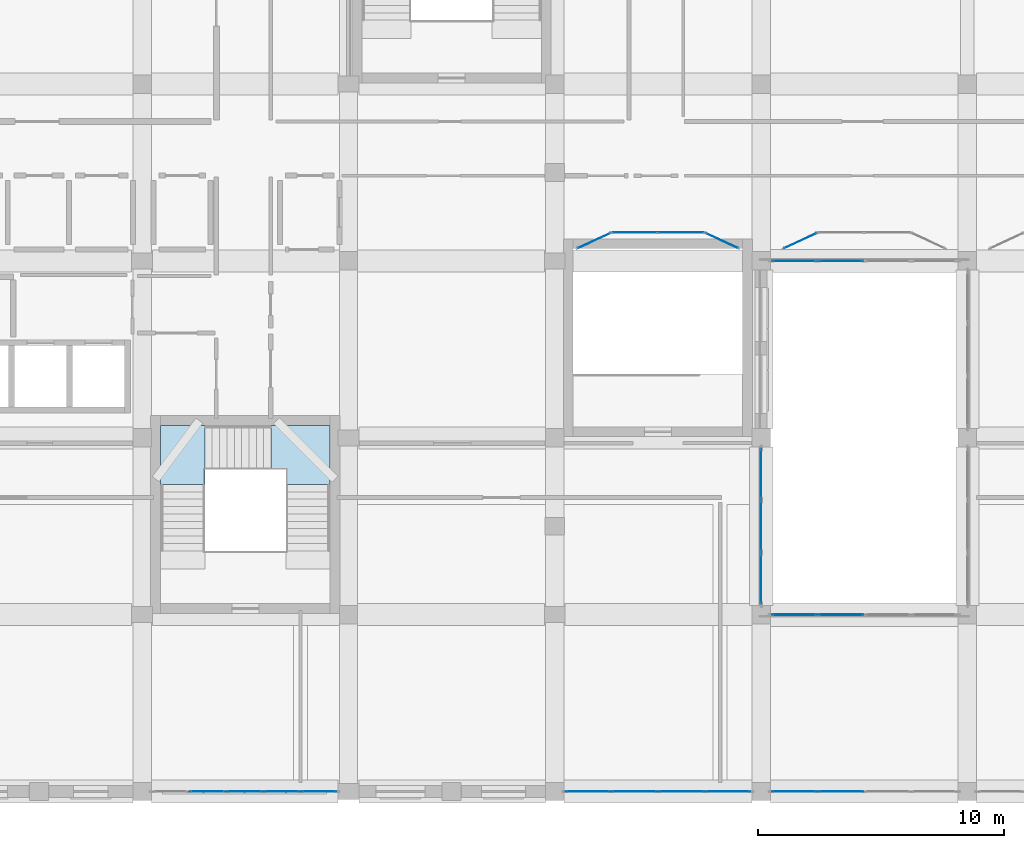
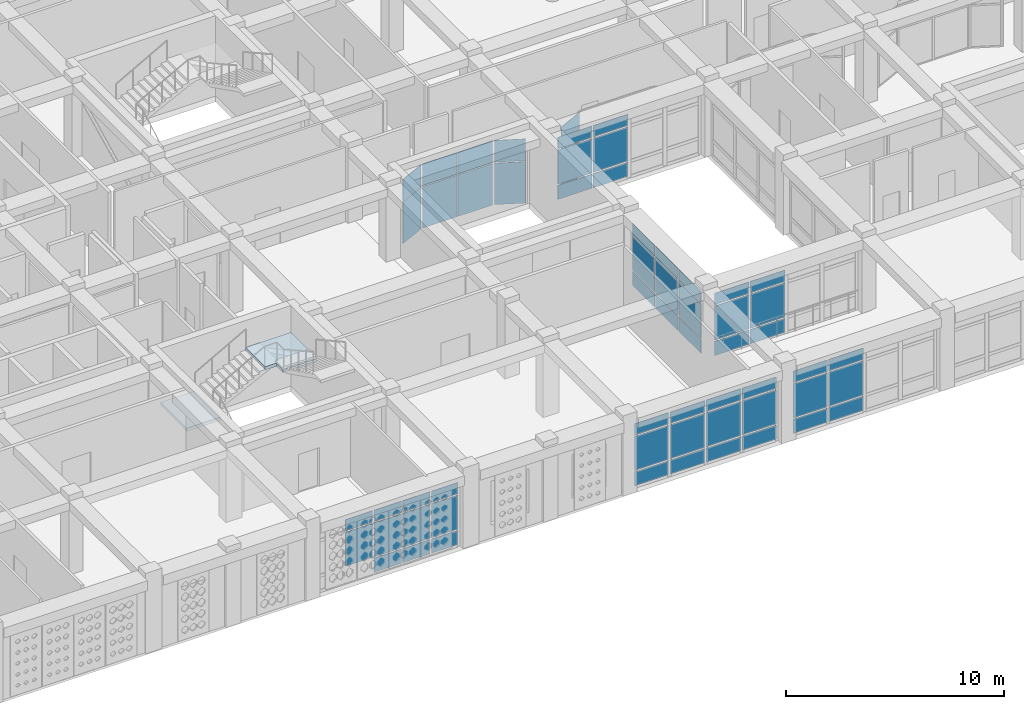
# One storey, part 63 of 121: 60 plates, 2 slabs, 11 elements without a shape of their own.
"""IFC4 building model written with IfcOpenShell, lengths in metres."""

from ifc_helpers import new_model, si_unit, derived_unit, direction, frame, origin, origin_2d, place, context, subcontext, project, spatial, polyline, rectangle, outline, extrude, material, layer, layer_set, type_object, element, aggregate, save


model = new_model("IFC4")

# Units and contexts
model_context = context("Model", 3, precision=1e-05, world=origin(), true_north=direction((0.0, 1.0)))
body_context = subcontext(model_context, "Body", "Model", "MODEL_VIEW")
ifc_project = project(units=[si_unit("LENGTHUNIT", "METRE"), si_unit("AREAUNIT", "SQUARE_METRE"), si_unit("VOLUMEUNIT", "CUBIC_METRE"), si_unit("PLANEANGLEUNIT", "RADIAN"), si_unit("MASSUNIT", "GRAM", prefix="KILO"), derived_unit("THERMALTRANSMITTANCEUNIT", [(si_unit("POWERUNIT", "WATT"), 1), (si_unit("LENGTHUNIT", "METRE"), -2), (si_unit("THERMODYNAMICTEMPERATUREUNIT", "KELVIN"), -1)])], contexts=[model_context])

# Site, building, storey
site_placement = place(None, origin())
site = spatial("IfcSite", under=ifc_project, at=site_placement, CompositionType="ELEMENT")
building_placement = place(site_placement, origin())
building = spatial("IfcBuilding", under=site, at=building_placement, Name="Veybourne Emporium", CompositionType="ELEMENT")
storey_placement = place(building_placement, frame((0.0, 0.0, 5.39990234375)))
storey = spatial("IfcBuildingStorey", under=building, at=storey_placement, Name="L01", CompositionType="ELEMENT", Elevation=5.39990234375)

# Curtain wall, plates
ifc_material_1 = material(Name="Patinated Architectural Bronze", Category="bronze")
curtain_wall_type_1 = type_object("IfcCurtainWallType", Name="CWSystem_CWS-03", PredefinedType="NOTDEFINED", material=ifc_material_1)
curtain_wall_1_placement = place(storey_placement, origin())
curtain_wall_1 = element("IfcCurtainWall", 1, at=curtain_wall_1_placement, inside=storey, type_object=curtain_wall_type_1, Name="L01 bronze glazed curtain wall CWS-03 (021)", PredefinedType="NOTDEFINED")
ifc_material_2 = material(Name="Low-E Triple Glazing", Category="glass")
ifc_layer_1 = layer(ifc_material_2, 0.028076171875)
ifc_layer_set_1 = layer_set([ifc_layer_1], Name="Low-E Triple Glazing")
plate_type_1 = type_object("IfcPlateType", Name="CWPanel_CW-P1", PredefinedType="CURTAIN_PANEL", material=ifc_layer_set_1)
plate_1_placement = place(storey_placement, frame((40.79541015625, 0.0, 0.078125), z_axis=(0.0, 0.0, 1.0), x_axis=(-1.0, 0.0, 0.0)))
plate_1 = element("IfcPlate", 2, at=plate_1_placement, type_object=plate_type_1, Name="CWS-03 panel 1.1", PredefinedType="CURTAIN_PANEL", context=body_context, shape_type="SweptSolid", body=[
    extrude(rectangle(XDim=1.403076171875, YDim=0.028076171875, at=origin_2d()), origin(), (0.0, 0.0, 1.0), 0.782958984375),
])
plate_2_placement = place(storey_placement, frame((40.79541015625, 0.0, 0.93896484375), z_axis=(0.0, 0.0, 1.0), x_axis=(-1.0, 0.0, 0.0)))
plate_2 = element("IfcPlate", 3, at=plate_2_placement, type_object=plate_type_1, Name="CWS-03 panel 1.2", PredefinedType="CURTAIN_PANEL", context=body_context, shape_type="SweptSolid", body=[
    extrude(rectangle(XDim=1.403076171875, YDim=0.028076171875, at=origin_2d()), origin(), (0.0, 0.0, 1.0), 1.902099609375),
])
plate_3_placement = place(storey_placement, frame((40.79541015625, 0.0, 2.9189453125), z_axis=(0.0, 0.0, 1.0), x_axis=(-1.0, 0.0, 0.0)))
plate_3 = element("IfcPlate", 4, at=plate_3_placement, type_object=plate_type_1, Name="CWS-03 panel 1.3", PredefinedType="CURTAIN_PANEL", context=body_context, shape_type="SweptSolid", body=[
    extrude(rectangle(XDim=1.403076171875, YDim=0.028076171875, at=origin_2d()), origin(), (0.0, 0.0, 1.0), 0.633056640625),
])
plate_4_placement = place(storey_placement, frame((39.294921875, 0.0, 0.078125), z_axis=(0.0, 0.0, 1.0), x_axis=(-1.0, 0.0, 0.0)))
plate_4 = element("IfcPlate", 5, at=plate_4_placement, type_object=plate_type_1, Name="CWS-03 panel 2.1", PredefinedType="CURTAIN_PANEL", context=body_context, shape_type="SweptSolid", body=[
    extrude(rectangle(XDim=1.44189453125, YDim=0.028076171875, at=origin_2d()), origin(), (0.0, 0.0, 1.0), 0.782958984375),
])
plate_5_placement = place(storey_placement, frame((39.294921875, 0.0, 0.93896484375), z_axis=(0.0, 0.0, 1.0), x_axis=(-1.0, 0.0, 0.0)))
plate_5 = element("IfcPlate", 6, at=plate_5_placement, type_object=plate_type_1, Name="CWS-03 panel 2.2", PredefinedType="CURTAIN_PANEL", context=body_context, shape_type="SweptSolid", body=[
    extrude(rectangle(XDim=1.44189453125, YDim=0.028076171875, at=origin_2d()), origin(), (0.0, 0.0, 1.0), 1.902099609375),
])
plate_6_placement = place(storey_placement, frame((39.294921875, 0.0, 2.9189453125), z_axis=(0.0, 0.0, 1.0), x_axis=(-1.0, 0.0, 0.0)))
plate_6 = element("IfcPlate", 7, at=plate_6_placement, type_object=plate_type_1, Name="CWS-03 panel 2.3", PredefinedType="CURTAIN_PANEL", context=body_context, shape_type="SweptSolid", body=[
    extrude(rectangle(XDim=1.44189453125, YDim=0.028076171875, at=origin_2d()), origin(), (0.0, 0.0, 1.0), 0.633056640625),
])
plate_7_placement = place(storey_placement, frame((37.77490234375, 0.0, 0.078125), z_axis=(0.0, 0.0, 1.0), x_axis=(-1.0, 0.0, 0.0)))
plate_7 = element("IfcPlate", 8, at=plate_7_placement, type_object=plate_type_1, Name="CWS-03 panel 3.1", PredefinedType="CURTAIN_PANEL", context=body_context, shape_type="SweptSolid", body=[
    extrude(rectangle(XDim=1.44189453125, YDim=0.028076171875, at=origin_2d()), origin(), (0.0, 0.0, 1.0), 0.782958984375),
])
plate_8_placement = place(storey_placement, frame((37.77490234375, 0.0, 0.93896484375), z_axis=(0.0, 0.0, 1.0), x_axis=(-1.0, 0.0, 0.0)))
plate_8 = element("IfcPlate", 9, at=plate_8_placement, type_object=plate_type_1, Name="CWS-03 panel 3.2", PredefinedType="CURTAIN_PANEL", context=body_context, shape_type="SweptSolid", body=[
    extrude(rectangle(XDim=1.44189453125, YDim=0.028076171875, at=origin_2d()), origin(), (0.0, 0.0, 1.0), 1.902099609375),
])
plate_9_placement = place(storey_placement, frame((37.77490234375, 0.0, 2.9189453125), z_axis=(0.0, 0.0, 1.0), x_axis=(-1.0, 0.0, 0.0)))
plate_9 = element("IfcPlate", 10, at=plate_9_placement, type_object=plate_type_1, Name="CWS-03 panel 3.3", PredefinedType="CURTAIN_PANEL", context=body_context, shape_type="SweptSolid", body=[
    extrude(rectangle(XDim=1.44189453125, YDim=0.028076171875, at=origin_2d()), origin(), (0.0, 0.0, 1.0), 0.633056640625),
])
plate_10_placement = place(storey_placement, frame((36.2548828125, 0.0, 0.93896484375), z_axis=(0.0, 0.0, 1.0), x_axis=(-1.0, 0.0, 0.0)))
plate_10 = element("IfcPlate", 11, at=plate_10_placement, type_object=plate_type_1, Name="CWS-03 panel 4.2", PredefinedType="CURTAIN_PANEL", context=body_context, shape_type="SweptSolid", body=[
    extrude(rectangle(XDim=1.44189453125, YDim=0.028076171875, at=origin_2d()), origin(), (0.0, 0.0, 1.0), 1.902099609375),
])
plate_11_placement = place(storey_placement, frame((36.2548828125, 0.0, 2.9189453125), z_axis=(0.0, 0.0, 1.0), x_axis=(-1.0, 0.0, 0.0)))
plate_11 = element("IfcPlate", 12, at=plate_11_placement, type_object=plate_type_1, Name="CWS-03 panel 4.3", PredefinedType="CURTAIN_PANEL", context=body_context, shape_type="SweptSolid", body=[
    extrude(rectangle(XDim=1.44189453125, YDim=0.028076171875, at=origin_2d()), origin(), (0.0, 0.0, 1.0), 0.633056640625),
])
aggregate(curtain_wall_1, [plate_1, plate_2, plate_3, plate_4, plate_5, plate_6, plate_7, plate_8, plate_9, plate_10, plate_11])

curtain_wall_type_2 = type_object("IfcCurtainWallType", Name="CWSystem_CWS-06", PredefinedType="NOTDEFINED", material=ifc_material_1)
curtain_wall_2_placement = place(storey_placement, origin())
curtain_wall_2 = element("IfcCurtainWall", 13, at=curtain_wall_2_placement, inside=storey, type_object=curtain_wall_type_2, Name="L01 bronze glazed curtain wall CWS-06 (028)", PredefinedType="NOTDEFINED")
plate_12_placement = place(storey_placement, frame((57.449951171875, 0.0, 0.074951171875), z_axis=(0.0, 0.0, 1.0), x_axis=(-1.0, 0.0, 0.0)))
plate_12 = element("IfcPlate", 14, at=plate_12_placement, type_object=plate_type_1, Name="CWS-06 panel 1.1", PredefinedType="CURTAIN_PANEL", context=body_context, shape_type="SweptSolid", body=[
    extrude(rectangle(XDim=1.800048828125, YDim=0.028076171875, at=origin_2d()), origin(), (0.0, 0.0, 1.0), 0.78759765625),
])
plate_13_placement = place(storey_placement, frame((57.449951171875, 0.0, 0.9375), z_axis=(0.0, 0.0, 1.0), x_axis=(-1.0, 0.0, 0.0)))
plate_13 = element("IfcPlate", 15, at=plate_13_placement, type_object=plate_type_1, Name="CWS-06 panel 1.2", PredefinedType="CURTAIN_PANEL", context=body_context, shape_type="SweptSolid", body=[
    extrude(rectangle(XDim=1.800048828125, YDim=0.028076171875, at=origin_2d()), origin(), (0.0, 0.0, 1.0), 1.905029296875),
])
plate_14_placement = place(storey_placement, frame((57.449951171875, 0.0, 2.91748046875), z_axis=(0.0, 0.0, 1.0), x_axis=(-1.0, 0.0, 0.0)))
plate_14 = element("IfcPlate", 16, at=plate_14_placement, type_object=plate_type_1, Name="CWS-06 panel 1.3", PredefinedType="CURTAIN_PANEL", context=body_context, shape_type="SweptSolid", body=[
    extrude(rectangle(XDim=1.800048828125, YDim=0.028076171875, at=origin_2d()), origin(), (0.0, 0.0, 1.0), 0.637451171875),
])
plate_15_placement = place(storey_placement, frame((55.55615234375, 0.0, 0.074951171875), z_axis=(0.0, 0.0, 1.0), x_axis=(-1.0, 0.0, 0.0)))
plate_15 = element("IfcPlate", 17, at=plate_15_placement, type_object=plate_type_1, Name="CWS-06 panel 2.1", PredefinedType="CURTAIN_PANEL", context=body_context, shape_type="SweptSolid", body=[
    extrude(rectangle(XDim=1.83740234375, YDim=0.028076171875, at=origin_2d()), origin(), (0.0, 0.0, 1.0), 0.78759765625),
])
plate_16_placement = place(storey_placement, frame((55.55615234375, 0.0, 0.9375), z_axis=(0.0, 0.0, 1.0), x_axis=(-1.0, 0.0, 0.0)))
plate_16 = element("IfcPlate", 18, at=plate_16_placement, type_object=plate_type_1, Name="CWS-06 panel 2.2", PredefinedType="CURTAIN_PANEL", context=body_context, shape_type="SweptSolid", body=[
    extrude(rectangle(XDim=1.83740234375, YDim=0.028076171875, at=origin_2d()), origin(), (0.0, 0.0, 1.0), 1.905029296875),
])
plate_17_placement = place(storey_placement, frame((55.55615234375, 0.0, 2.91748046875), z_axis=(0.0, 0.0, 1.0), x_axis=(-1.0, 0.0, 0.0)))
plate_17 = element("IfcPlate", 19, at=plate_17_placement, type_object=plate_type_1, Name="CWS-06 panel 2.3", PredefinedType="CURTAIN_PANEL", context=body_context, shape_type="SweptSolid", body=[
    extrude(rectangle(XDim=1.83740234375, YDim=0.028076171875, at=origin_2d()), origin(), (0.0, 0.0, 1.0), 0.637451171875),
])
plate_18_placement = place(storey_placement, frame((53.643798828125, 0.0, 0.074951171875), z_axis=(0.0, 0.0, 1.0), x_axis=(-1.0, 0.0, 0.0)))
plate_18 = element("IfcPlate", 20, at=plate_18_placement, type_object=plate_type_1, Name="CWS-06 panel 3.1", PredefinedType="CURTAIN_PANEL", context=body_context, shape_type="SweptSolid", body=[
    extrude(rectangle(XDim=1.83740234375, YDim=0.028076171875, at=origin_2d()), origin(), (0.0, 0.0, 1.0), 0.78759765625),
])
plate_19_placement = place(storey_placement, frame((53.643798828125, 0.0, 0.9375), z_axis=(0.0, 0.0, 1.0), x_axis=(-1.0, 0.0, 0.0)))
plate_19 = element("IfcPlate", 21, at=plate_19_placement, type_object=plate_type_1, Name="CWS-06 panel 3.2", PredefinedType="CURTAIN_PANEL", context=body_context, shape_type="SweptSolid", body=[
    extrude(rectangle(XDim=1.83740234375, YDim=0.028076171875, at=origin_2d()), origin(), (0.0, 0.0, 1.0), 1.905029296875),
])
plate_20_placement = place(storey_placement, frame((53.643798828125, 0.0, 2.91748046875), z_axis=(0.0, 0.0, 1.0), x_axis=(-1.0, 0.0, 0.0)))
plate_20 = element("IfcPlate", 22, at=plate_20_placement, type_object=plate_type_1, Name="CWS-06 panel 3.3", PredefinedType="CURTAIN_PANEL", context=body_context, shape_type="SweptSolid", body=[
    extrude(rectangle(XDim=1.83740234375, YDim=0.028076171875, at=origin_2d()), origin(), (0.0, 0.0, 1.0), 0.637451171875),
])
plate_21_placement = place(storey_placement, frame((51.75, 0.0, 0.074951171875), z_axis=(0.0, 0.0, 1.0), x_axis=(-1.0, 0.0, 0.0)))
plate_21 = element("IfcPlate", 23, at=plate_21_placement, type_object=plate_type_1, Name="CWS-06 panel 4.1", PredefinedType="CURTAIN_PANEL", context=body_context, shape_type="SweptSolid", body=[
    extrude(rectangle(XDim=1.800048828125, YDim=0.028076171875, at=origin_2d()), origin(), (0.0, 0.0, 1.0), 0.78759765625),
])
plate_22_placement = place(storey_placement, frame((51.75, 0.0, 0.9375), z_axis=(0.0, 0.0, 1.0), x_axis=(-1.0, 0.0, 0.0)))
plate_22 = element("IfcPlate", 24, at=plate_22_placement, type_object=plate_type_1, Name="CWS-06 panel 4.2", PredefinedType="CURTAIN_PANEL", context=body_context, shape_type="SweptSolid", body=[
    extrude(rectangle(XDim=1.800048828125, YDim=0.028076171875, at=origin_2d()), origin(), (0.0, 0.0, 1.0), 1.905029296875),
])
plate_23_placement = place(storey_placement, frame((51.75, 0.0, 2.91748046875), z_axis=(0.0, 0.0, 1.0), x_axis=(-1.0, 0.0, 0.0)))
plate_23 = element("IfcPlate", 25, at=plate_23_placement, type_object=plate_type_1, Name="CWS-06 panel 4.3", PredefinedType="CURTAIN_PANEL", context=body_context, shape_type="SweptSolid", body=[
    extrude(rectangle(XDim=1.800048828125, YDim=0.028076171875, at=origin_2d()), origin(), (0.0, 0.0, 1.0), 0.637451171875),
])
aggregate(curtain_wall_2, [plate_12, plate_13, plate_14, plate_15, plate_16, plate_17, plate_18, plate_19, plate_20, plate_21, plate_22, plate_23])

curtain_wall_type_3 = type_object("IfcCurtainWallType", Name="CWSystem_CWS-07", PredefinedType="NOTDEFINED", material=ifc_material_1)
curtain_wall_3_placement = place(storey_placement, origin())
curtain_wall_3 = element("IfcCurtainWall", 26, at=curtain_wall_3_placement, inside=storey, type_object=curtain_wall_type_3, Name="L01 bronze glazed curtain wall CWS-07 (029)", PredefinedType="NOTDEFINED")
plate_24_placement = place(storey_placement, frame((58.800048828125, 12.930419921875, 0.078125), z_axis=(0.0, 0.0, 1.0), x_axis=(0.0, -1.0, 0.0)))
plate_24 = element("IfcPlate", 27, at=plate_24_placement, type_object=plate_type_1, Name="CWS-07 panel 1.1", PredefinedType="CURTAIN_PANEL", context=body_context, shape_type="SweptSolid", body=[
    extrude(rectangle(XDim=2.032958984375, YDim=0.028076171875, at=origin_2d()), origin(), (0.0, 0.0, 1.0), 0.782958984375),
])
plate_25_placement = place(storey_placement, frame((58.800048828125, 12.930419921875, 0.93896484375), z_axis=(0.0, 0.0, 1.0), x_axis=(0.0, -1.0, 0.0)))
plate_25 = element("IfcPlate", 28, at=plate_25_placement, type_object=plate_type_1, Name="CWS-07 panel 1.2", PredefinedType="CURTAIN_PANEL", context=body_context, shape_type="SweptSolid", body=[
    extrude(rectangle(XDim=2.032958984375, YDim=0.028076171875, at=origin_2d()), origin(), (0.0, 0.0, 1.0), 1.902099609375),
])
plate_26_placement = place(storey_placement, frame((58.800048828125, 12.930419921875, 2.9189453125), z_axis=(0.0, 0.0, 1.0), x_axis=(0.0, -1.0, 0.0)))
plate_26 = element("IfcPlate", 29, at=plate_26_placement, type_object=plate_type_1, Name="CWS-07 panel 1.3", PredefinedType="CURTAIN_PANEL", context=body_context, shape_type="SweptSolid", body=[
    extrude(rectangle(XDim=2.032958984375, YDim=0.028076171875, at=origin_2d()), origin(), (0.0, 0.0, 1.0), 0.633056640625),
])
plate_27_placement = place(storey_placement, frame((58.800048828125, 10.800048828125, 0.078125), z_axis=(0.0, 0.0, 1.0), x_axis=(0.0, -1.0, 0.0)))
plate_27 = element("IfcPlate", 30, at=plate_27_placement, type_object=plate_type_1, Name="CWS-07 panel 2.1", PredefinedType="CURTAIN_PANEL", context=body_context, shape_type="SweptSolid", body=[
    extrude(rectangle(XDim=2.072021484375, YDim=0.028076171875, at=origin_2d()), origin(), (0.0, 0.0, 1.0), 0.782958984375),
])
plate_28_placement = place(storey_placement, frame((58.800048828125, 10.800048828125, 0.93896484375), z_axis=(0.0, 0.0, 1.0), x_axis=(0.0, -1.0, 0.0)))
plate_28 = element("IfcPlate", 31, at=plate_28_placement, type_object=plate_type_1, Name="CWS-07 panel 2.2", PredefinedType="CURTAIN_PANEL", context=body_context, shape_type="SweptSolid", body=[
    extrude(rectangle(XDim=2.072021484375, YDim=0.028076171875, at=origin_2d()), origin(), (0.0, 0.0, 1.0), 1.902099609375),
])
plate_29_placement = place(storey_placement, frame((58.800048828125, 10.800048828125, 2.9189453125), z_axis=(0.0, 0.0, 1.0), x_axis=(0.0, -1.0, 0.0)))
plate_29 = element("IfcPlate", 32, at=plate_29_placement, type_object=plate_type_1, Name="CWS-07 panel 2.3", PredefinedType="CURTAIN_PANEL", context=body_context, shape_type="SweptSolid", body=[
    extrude(rectangle(XDim=2.072021484375, YDim=0.028076171875, at=origin_2d()), origin(), (0.0, 0.0, 1.0), 0.633056640625),
])
plate_30_placement = place(storey_placement, frame((58.800048828125, 8.66943359375, 0.078125), z_axis=(0.0, 0.0, 1.0), x_axis=(0.0, -1.0, 0.0)))
plate_30 = element("IfcPlate", 33, at=plate_30_placement, type_object=plate_type_1, Name="CWS-07 panel 3.1", PredefinedType="CURTAIN_PANEL", context=body_context, shape_type="SweptSolid", body=[
    extrude(rectangle(XDim=2.032958984375, YDim=0.028076171875, at=origin_2d()), origin(), (0.0, 0.0, 1.0), 0.782958984375),
])
plate_31_placement = place(storey_placement, frame((58.800048828125, 8.66943359375, 0.93896484375), z_axis=(0.0, 0.0, 1.0), x_axis=(0.0, -1.0, 0.0)))
plate_31 = element("IfcPlate", 34, at=plate_31_placement, type_object=plate_type_1, Name="CWS-07 panel 3.2", PredefinedType="CURTAIN_PANEL", context=body_context, shape_type="SweptSolid", body=[
    extrude(rectangle(XDim=2.032958984375, YDim=0.028076171875, at=origin_2d()), origin(), (0.0, 0.0, 1.0), 1.902099609375),
])
plate_32_placement = place(storey_placement, frame((58.800048828125, 8.66943359375, 2.9189453125), z_axis=(0.0, 0.0, 1.0), x_axis=(0.0, -1.0, 0.0)))
plate_32 = element("IfcPlate", 35, at=plate_32_placement, type_object=plate_type_1, Name="CWS-07 panel 3.3", PredefinedType="CURTAIN_PANEL", context=body_context, shape_type="SweptSolid", body=[
    extrude(rectangle(XDim=2.032958984375, YDim=0.028076171875, at=origin_2d()), origin(), (0.0, 0.0, 1.0), 0.633056640625),
])
aggregate(curtain_wall_3, [plate_24, plate_25, plate_26, plate_27, plate_28, plate_29, plate_30, plate_31, plate_32])

curtain_wall_type_4 = type_object("IfcCurtainWallType", Name="CWSystem_CWS-08", PredefinedType="NOTDEFINED", material=ifc_material_1)
curtain_wall_4_placement = place(storey_placement, origin())
curtain_wall_4 = element("IfcCurtainWall", 36, at=curtain_wall_4_placement, inside=storey, type_object=curtain_wall_type_4, Name="L01 bronze glazed curtain wall CWS-08 (033)", PredefinedType="NOTDEFINED")
plate_33_placement = place(storey_placement, frame((62.043701171875, 0.0, 0.070068359375), z_axis=(0.0, 0.0, 1.0), x_axis=(-1.0, 0.0, 0.0)))
plate_33 = element("IfcPlate", 37, at=plate_33_placement, type_object=plate_type_1, Name="CWS-08 panel 3.1", PredefinedType="CURTAIN_PANEL", context=body_context, shape_type="SweptSolid", body=[
    extrude(rectangle(XDim=1.842529296875, YDim=0.028076171875, at=origin_2d()), origin(), (0.0, 0.0, 1.0), 0.794921875),
])
plate_34_placement = place(storey_placement, frame((62.043701171875, 0.0, 0.93505859375), z_axis=(0.0, 0.0, 1.0), x_axis=(-1.0, 0.0, 0.0)))
plate_34 = element("IfcPlate", 38, at=plate_34_placement, type_object=plate_type_1, Name="CWS-08 panel 3.2", PredefinedType="CURTAIN_PANEL", context=body_context, shape_type="SweptSolid", body=[
    extrude(rectangle(XDim=1.842529296875, YDim=0.028076171875, at=origin_2d()), origin(), (0.0, 0.0, 1.0), 1.909912109375),
])
plate_35_placement = place(storey_placement, frame((62.043701171875, 0.0, 2.9150390625), z_axis=(0.0, 0.0, 1.0), x_axis=(-1.0, 0.0, 0.0)))
plate_35 = element("IfcPlate", 39, at=plate_35_placement, type_object=plate_type_1, Name="CWS-08 panel 3.3", PredefinedType="CURTAIN_PANEL", context=body_context, shape_type="SweptSolid", body=[
    extrude(rectangle(XDim=1.842529296875, YDim=0.028076171875, at=origin_2d()), origin(), (0.0, 0.0, 1.0), 0.64501953125),
])
plate_36_placement = place(storey_placement, frame((60.148681640625, 0.0, 0.070068359375), z_axis=(0.0, 0.0, 1.0), x_axis=(-1.0, 0.0, 0.0)))
plate_36 = element("IfcPlate", 40, at=plate_36_placement, type_object=plate_type_1, Name="CWS-08 panel 4.1", PredefinedType="CURTAIN_PANEL", context=body_context, shape_type="SweptSolid", body=[
    extrude(rectangle(XDim=1.8076171875, YDim=0.028076171875, at=origin_2d()), origin(), (0.0, 0.0, 1.0), 0.794921875),
])
plate_37_placement = place(storey_placement, frame((60.148681640625, 0.0, 0.93505859375), z_axis=(0.0, 0.0, 1.0), x_axis=(-1.0, 0.0, 0.0)))
plate_37 = element("IfcPlate", 41, at=plate_37_placement, type_object=plate_type_1, Name="CWS-08 panel 4.2", PredefinedType="CURTAIN_PANEL", context=body_context, shape_type="SweptSolid", body=[
    extrude(rectangle(XDim=1.8076171875, YDim=0.028076171875, at=origin_2d()), origin(), (0.0, 0.0, 1.0), 1.909912109375),
])
plate_38_placement = place(storey_placement, frame((60.148681640625, 0.0, 2.9150390625), z_axis=(0.0, 0.0, 1.0), x_axis=(-1.0, 0.0, 0.0)))
plate_38 = element("IfcPlate", 42, at=plate_38_placement, type_object=plate_type_1, Name="CWS-08 panel 4.3", PredefinedType="CURTAIN_PANEL", context=body_context, shape_type="SweptSolid", body=[
    extrude(rectangle(XDim=1.8076171875, YDim=0.028076171875, at=origin_2d()), origin(), (0.0, 0.0, 1.0), 0.64501953125),
])
aggregate(curtain_wall_4, [plate_33, plate_34, plate_35, plate_36, plate_37, plate_38])

curtain_wall_type_5 = type_object("IfcCurtainWallType", Name="CWSystem_CWS-09", PredefinedType="NOTDEFINED", material=ifc_material_1)
curtain_wall_5_placement = place(storey_placement, origin())
curtain_wall_5 = element("IfcCurtainWall", 43, at=curtain_wall_5_placement, inside=storey, type_object=curtain_wall_type_5, Name="L01 bronze glazed curtain wall CWS-09 (034)", PredefinedType="NOTDEFINED")
plate_39_placement = place(storey_placement, frame((60.149169921875, 7.199951171875, 0.072021484375), z_axis=(0.0, 0.0, 1.0), x_axis=(1.0, 0.0, 0.0)))
plate_39 = element("IfcPlate", 44, at=plate_39_placement, type_object=plate_type_1, Name="CWS-09 panel 1.1", PredefinedType="CURTAIN_PANEL", context=body_context, shape_type="SweptSolid", body=[
    extrude(rectangle(XDim=1.804443359375, YDim=0.028076171875, at=origin_2d()), origin(), (0.0, 0.0, 1.0), 0.7919921875),
])
plate_40_placement = place(storey_placement, frame((60.149169921875, 7.199951171875, 0.93603515625), z_axis=(0.0, 0.0, 1.0), x_axis=(1.0, 0.0, 0.0)))
plate_40 = element("IfcPlate", 45, at=plate_40_placement, type_object=plate_type_1, Name="CWS-09 panel 1.2", PredefinedType="CURTAIN_PANEL", context=body_context, shape_type="SweptSolid", body=[
    extrude(rectangle(XDim=1.804443359375, YDim=0.028076171875, at=origin_2d()), origin(), (0.0, 0.0, 1.0), 1.907958984375),
])
plate_41_placement = place(storey_placement, frame((60.149169921875, 7.199951171875, 2.916015625), z_axis=(0.0, 0.0, 1.0), x_axis=(1.0, 0.0, 0.0)))
plate_41 = element("IfcPlate", 46, at=plate_41_placement, type_object=plate_type_1, Name="CWS-09 panel 1.3", PredefinedType="CURTAIN_PANEL", context=body_context, shape_type="SweptSolid", body=[
    extrude(rectangle(XDim=1.804443359375, YDim=0.028076171875, at=origin_2d()), origin(), (0.0, 0.0, 1.0), 0.64208984375),
])
plate_42_placement = place(storey_placement, frame((62.043701171875, 7.199951171875, 0.072021484375), z_axis=(0.0, 0.0, 1.0), x_axis=(1.0, 0.0, 0.0)))
plate_42 = element("IfcPlate", 47, at=plate_42_placement, type_object=plate_type_1, Name="CWS-09 panel 2.1", PredefinedType="CURTAIN_PANEL", context=body_context, shape_type="SweptSolid", body=[
    extrude(rectangle(XDim=1.840576171875, YDim=0.028076171875, at=origin_2d()), origin(), (0.0, 0.0, 1.0), 0.7919921875),
])
plate_43_placement = place(storey_placement, frame((62.043701171875, 7.199951171875, 0.93603515625), z_axis=(0.0, 0.0, 1.0), x_axis=(1.0, 0.0, 0.0)))
plate_43 = element("IfcPlate", 48, at=plate_43_placement, type_object=plate_type_1, Name="CWS-09 panel 2.2", PredefinedType="CURTAIN_PANEL", context=body_context, shape_type="SweptSolid", body=[
    extrude(rectangle(XDim=1.840576171875, YDim=0.028076171875, at=origin_2d()), origin(), (0.0, 0.0, 1.0), 1.907958984375),
])
plate_44_placement = place(storey_placement, frame((62.043701171875, 7.199951171875, 2.916015625), z_axis=(0.0, 0.0, 1.0), x_axis=(1.0, 0.0, 0.0)))
plate_44 = element("IfcPlate", 49, at=plate_44_placement, type_object=plate_type_1, Name="CWS-09 panel 2.3", PredefinedType="CURTAIN_PANEL", context=body_context, shape_type="SweptSolid", body=[
    extrude(rectangle(XDim=1.840576171875, YDim=0.028076171875, at=origin_2d()), origin(), (0.0, 0.0, 1.0), 0.64208984375),
])
aggregate(curtain_wall_5, [plate_39, plate_40, plate_41, plate_42, plate_43, plate_44])

curtain_wall_type_6 = type_object("IfcCurtainWallType", Name="CWSystem_CWS-10", PredefinedType="NOTDEFINED", material=ifc_material_1)
curtain_wall_6_placement = place(storey_placement, origin())
curtain_wall_6 = element("IfcCurtainWall", 50, at=curtain_wall_6_placement, inside=storey, type_object=curtain_wall_type_6, Name="L01 bronze glazed curtain wall CWS-10 (035)", PredefinedType="NOTDEFINED")
plate_45_placement = place(storey_placement, frame((62.043701171875, 21.60009765625, 0.074951171875), z_axis=(0.0, 0.0, 1.0), x_axis=(-1.0, 0.0, 0.0)))
plate_45 = element("IfcPlate", 51, at=plate_45_placement, type_object=plate_type_1, Name="CWS-10 panel 3.1", PredefinedType="CURTAIN_PANEL", context=body_context, shape_type="SweptSolid", body=[
    extrude(rectangle(XDim=1.83740234375, YDim=0.028076171875, at=origin_2d()), origin(), (0.0, 0.0, 1.0), 0.78759765625),
])
plate_46_placement = place(storey_placement, frame((62.043701171875, 21.60009765625, 0.9375), z_axis=(0.0, 0.0, 1.0), x_axis=(-1.0, 0.0, 0.0)))
plate_46 = element("IfcPlate", 52, at=plate_46_placement, type_object=plate_type_1, Name="CWS-10 panel 3.2", PredefinedType="CURTAIN_PANEL", context=body_context, shape_type="SweptSolid", body=[
    extrude(rectangle(XDim=1.83740234375, YDim=0.028076171875, at=origin_2d()), origin(), (0.0, 0.0, 1.0), 1.905029296875),
])
plate_47_placement = place(storey_placement, frame((62.043701171875, 21.60009765625, 2.91748046875), z_axis=(0.0, 0.0, 1.0), x_axis=(-1.0, 0.0, 0.0)))
plate_47 = element("IfcPlate", 53, at=plate_47_placement, type_object=plate_type_1, Name="CWS-10 panel 3.3", PredefinedType="CURTAIN_PANEL", context=body_context, shape_type="SweptSolid", body=[
    extrude(rectangle(XDim=1.83740234375, YDim=0.028076171875, at=origin_2d()), origin(), (0.0, 0.0, 1.0), 0.637451171875),
])
plate_48_placement = place(storey_placement, frame((60.14990234375, 21.60009765625, 0.074951171875), z_axis=(0.0, 0.0, 1.0), x_axis=(-1.0, 0.0, 0.0)))
plate_48 = element("IfcPlate", 54, at=plate_48_placement, type_object=plate_type_1, Name="CWS-10 panel 4.1", PredefinedType="CURTAIN_PANEL", context=body_context, shape_type="SweptSolid", body=[
    extrude(rectangle(XDim=1.800048828125, YDim=0.028076171875, at=origin_2d()), origin(), (0.0, 0.0, 1.0), 0.78759765625),
])
plate_49_placement = place(storey_placement, frame((60.14990234375, 21.60009765625, 0.9375), z_axis=(0.0, 0.0, 1.0), x_axis=(-1.0, 0.0, 0.0)))
plate_49 = element("IfcPlate", 55, at=plate_49_placement, type_object=plate_type_1, Name="CWS-10 panel 4.2", PredefinedType="CURTAIN_PANEL", context=body_context, shape_type="SweptSolid", body=[
    extrude(rectangle(XDim=1.800048828125, YDim=0.028076171875, at=origin_2d()), origin(), (0.0, 0.0, 1.0), 1.905029296875),
])
plate_50_placement = place(storey_placement, frame((60.14990234375, 21.60009765625, 2.91748046875), z_axis=(0.0, 0.0, 1.0), x_axis=(-1.0, 0.0, 0.0)))
plate_50 = element("IfcPlate", 56, at=plate_50_placement, type_object=plate_type_1, Name="CWS-10 panel 4.3", PredefinedType="CURTAIN_PANEL", context=body_context, shape_type="SweptSolid", body=[
    extrude(rectangle(XDim=1.800048828125, YDim=0.028076171875, at=origin_2d()), origin(), (0.0, 0.0, 1.0), 0.637451171875),
])
aggregate(curtain_wall_6, [plate_45, plate_46, plate_47, plate_48, plate_49, plate_50])

curtain_wall_type_7 = type_object("IfcCurtainWallType", Name="CWSystem_CWI-01", PredefinedType="NOTDEFINED", material=ifc_material_1)
curtain_wall_7_placement = place(storey_placement, origin())
curtain_wall_7 = element("IfcCurtainWall", 57, at=curtain_wall_7_placement, inside=storey, type_object=curtain_wall_type_7, Name="Arcade bow-front boutique shopfront L01 bay 6 facet 1", PredefinedType="NOTDEFINED")
ifc_material_3 = material(Name="Solar Control Laminated Glass", Category="glass")
ifc_layer_2 = layer(ifc_material_3, 0.02197265625)
ifc_layer_set_2 = layer_set([ifc_layer_2], Name="Solar Control Laminated Glass")
plate_type_2 = type_object("IfcPlateType", Name="CWPanel_CW-P3", PredefinedType="CURTAIN_PANEL", material=ifc_layer_set_2)
plate_51_placement = place(storey_placement, frame((52.0, 22.425048828125, 0.05029296875), z_axis=(0.0, 0.0, 1.0), x_axis=(0.907008967749, 0.421111306453, 0.0)))
plate_51 = element("IfcPlate", 58, at=plate_51_placement, type_object=plate_type_2, Name="CWI-01 panel 1.1", PredefinedType="CURTAIN_PANEL", context=body_context, shape_type="SweptSolid", body=[
    extrude(rectangle(XDim=1.443603515625, YDim=0.02197265625, at=origin_2d()), origin(), (0.0, 0.0, 1.0), 2.324951171875),
])
plate_52_placement = place(storey_placement, frame((52.0, 22.425048828125, 2.425048828125), z_axis=(0.0, 0.0, 1.0), x_axis=(0.907008967749, 0.421111306453, 0.0)))
plate_52 = element("IfcPlate", 59, at=plate_52_placement, type_object=plate_type_2, Name="CWI-01 panel 1.2", PredefinedType="CURTAIN_PANEL", context=body_context, shape_type="SweptSolid", body=[
    extrude(rectangle(XDim=1.443603515625, YDim=0.02197265625, at=origin_2d()), origin(), (0.0, 0.0, 1.0), 1.22509765625),
])
aggregate(curtain_wall_7, [plate_51, plate_52])

curtain_wall_type_8 = type_object("IfcCurtainWallType", Name="CWSystem_CWI-02", PredefinedType="NOTDEFINED", material=ifc_material_1)
curtain_wall_8_placement = place(storey_placement, origin())
curtain_wall_8 = element("IfcCurtainWall", 60, at=curtain_wall_8_placement, inside=storey, type_object=curtain_wall_type_8, Name="Arcade bow-front boutique shopfront L01 bay 6 facet 2", PredefinedType="NOTDEFINED")
plate_53_placement = place(storey_placement, frame((53.66259765625, 22.75, 0.05029296875), z_axis=(0.0, 0.0, 1.0), x_axis=(1.0, 0.0, 0.0)))
plate_53 = element("IfcPlate", 61, at=plate_53_placement, type_object=plate_type_2, Name="CWI-02 panel 1.1", PredefinedType="CURTAIN_PANEL", context=body_context, shape_type="SweptSolid", body=[
    extrude(rectangle(XDim=1.824951171875, YDim=0.02197265625, at=origin_2d()), origin(), (0.0, 0.0, 1.0), 2.324951171875),
])
plate_54_placement = place(storey_placement, frame((53.66259765625, 22.75, 2.425048828125), z_axis=(0.0, 0.0, 1.0), x_axis=(1.0, 0.0, 0.0)))
plate_54 = element("IfcPlate", 62, at=plate_54_placement, type_object=plate_type_2, Name="CWI-02 panel 1.2", PredefinedType="CURTAIN_PANEL", context=body_context, shape_type="SweptSolid", body=[
    extrude(rectangle(XDim=1.824951171875, YDim=0.02197265625, at=origin_2d()), origin(), (0.0, 0.0, 1.0), 1.22509765625),
])
plate_55_placement = place(storey_placement, frame((55.53759765625, 22.75, 0.05029296875), z_axis=(0.0, 0.0, 1.0), x_axis=(1.0, 0.0, 0.0)))
plate_55 = element("IfcPlate", 63, at=plate_55_placement, type_object=plate_type_2, Name="CWI-02 panel 2.1", PredefinedType="CURTAIN_PANEL", context=body_context, shape_type="SweptSolid", body=[
    extrude(rectangle(XDim=1.824951171875, YDim=0.02197265625, at=origin_2d()), origin(), (0.0, 0.0, 1.0), 2.324951171875),
])
plate_56_placement = place(storey_placement, frame((55.53759765625, 22.75, 2.425048828125), z_axis=(0.0, 0.0, 1.0), x_axis=(1.0, 0.0, 0.0)))
plate_56 = element("IfcPlate", 64, at=plate_56_placement, type_object=plate_type_2, Name="CWI-02 panel 2.2", PredefinedType="CURTAIN_PANEL", context=body_context, shape_type="SweptSolid", body=[
    extrude(rectangle(XDim=1.824951171875, YDim=0.02197265625, at=origin_2d()), origin(), (0.0, 0.0, 1.0), 1.22509765625),
])
aggregate(curtain_wall_8, [plate_53, plate_54, plate_55, plate_56])

curtain_wall_type_9 = type_object("IfcCurtainWallType", Name="CWSystem_CWI-03", PredefinedType="NOTDEFINED", material=ifc_material_1)
curtain_wall_9_placement = place(storey_placement, origin())
curtain_wall_9 = element("IfcCurtainWall", 65, at=curtain_wall_9_placement, inside=storey, type_object=curtain_wall_type_9, Name="Arcade bow-front boutique shopfront L01 bay 6 facet 3", PredefinedType="NOTDEFINED")
plate_57_placement = place(storey_placement, frame((57.199951171875, 22.425048828125, 0.05029296875), z_axis=(0.0, 0.0, 1.0), x_axis=(0.907008967749, -0.421111306453, 0.0)))
plate_57 = element("IfcPlate", 66, at=plate_57_placement, type_object=plate_type_2, Name="CWI-03 panel 1.1", PredefinedType="CURTAIN_PANEL", context=body_context, shape_type="SweptSolid", body=[
    extrude(rectangle(XDim=1.443603515625, YDim=0.02197265625, at=origin_2d()), origin(), (0.0, 0.0, 1.0), 2.324951171875),
])
plate_58_placement = place(storey_placement, frame((57.199951171875, 22.425048828125, 2.425048828125), z_axis=(0.0, 0.0, 1.0), x_axis=(0.907008967749, -0.421111306453, 0.0)))
plate_58 = element("IfcPlate", 67, at=plate_58_placement, type_object=plate_type_2, Name="CWI-03 panel 1.2", PredefinedType="CURTAIN_PANEL", context=body_context, shape_type="SweptSolid", body=[
    extrude(rectangle(XDim=1.443603515625, YDim=0.02197265625, at=origin_2d()), origin(), (0.0, 0.0, 1.0), 1.22509765625),
])
aggregate(curtain_wall_9, [plate_57, plate_58])

curtain_wall_10_placement = place(storey_placement, origin())
curtain_wall_10 = element("IfcCurtainWall", 68, at=curtain_wall_10_placement, inside=storey, type_object=curtain_wall_type_8, Name="Arcade bow-front boutique shopfront L01 bay 7 facet 1", PredefinedType="NOTDEFINED")
plate_59_placement = place(storey_placement, frame((60.39990234375, 22.425048828125, 0.05029296875), z_axis=(0.0, 0.0, 1.0), x_axis=(0.907008967749, 0.421111306453, 0.0)))
plate_59 = element("IfcPlate", 69, at=plate_59_placement, type_object=plate_type_2, Name="CWI-02 panel 1.1", PredefinedType="CURTAIN_PANEL", context=body_context, shape_type="SweptSolid", body=[
    extrude(rectangle(XDim=1.443603515625, YDim=0.02197265625, at=origin_2d()), origin(), (0.0, 0.0, 1.0), 2.324951171875),
])
plate_60_placement = place(storey_placement, frame((60.39990234375, 22.425048828125, 2.425048828125), z_axis=(0.0, 0.0, 1.0), x_axis=(0.907008967749, 0.421111306453, 0.0)))
plate_60 = element("IfcPlate", 70, at=plate_60_placement, type_object=plate_type_2, Name="CWI-02 panel 1.2", PredefinedType="CURTAIN_PANEL", context=body_context, shape_type="SweptSolid", body=[
    extrude(rectangle(XDim=1.443603515625, YDim=0.02197265625, at=origin_2d()), origin(), (0.0, 0.0, 1.0), 1.22509765625),
])
aggregate(curtain_wall_10, [plate_59, plate_60])

# Stair, slabs
ifc_material_4 = material(Name="Concrete C32/40", Category="concrete")
stair_type = type_object("IfcStairType", Name="Stair_ST-12-R30", PredefinedType="HALF_TURN_STAIR", material=ifc_material_4)
stair_placement = place(storey_placement, origin())
stair = element("IfcStair", 71, at=stair_placement, inside=storey, type_object=stair_type, Name="L01 stair ST-12", PredefinedType="HALF_TURN_STAIR")
ifc_layer_3 = layer(ifc_material_4, 0.179931640625)
ifc_layer_set_3 = layer_set([ifc_layer_3], Name="Concrete C32/40")
slab_type = type_object("IfcSlabType", Name="Landing_LDG-02", PredefinedType="LANDING", material=ifc_layer_set_3)
slab_1_placement = place(storey_placement, frame((0.0, 0.0, 1.320068359375)))
slab_1 = element("IfcSlab", 72, at=slab_1_placement, type_object=slab_type, Name="ST-12-R30 landing 1", PredefinedType="LANDING", context=body_context, shape_type="SweptSolid", body=[
    extrude(outline(polyline([(34.35009765625, 12.5), (36.14990234375, 12.5), (36.14990234375, 14.89990234375), (34.35009765625, 14.89990234375), (34.35009765625, 12.5)])), origin(), (0.0, 0.0, 1.0), 0.179931640625),
])
slab_2_placement = place(storey_placement, frame((0.0, 0.0, 2.820068359375)))
slab_2 = element("IfcSlab", 73, at=slab_2_placement, type_object=slab_type, Name="ST-12-R30 landing 2", PredefinedType="LANDING", context=body_context, shape_type="SweptSolid", body=[
    extrude(outline(polyline([(38.85009765625, 13.10009765625), (39.449951171875, 13.10009765625), (39.449951171875, 12.5), (41.25, 12.5), (41.25, 14.89990234375), (38.85009765625, 14.89990234375), (38.85009765625, 13.10009765625)])), origin(), (0.0, 0.0, 1.0), 0.179931640625),
])
aggregate(stair, [slab_1, slab_2])

save(model, "model.ifc")
